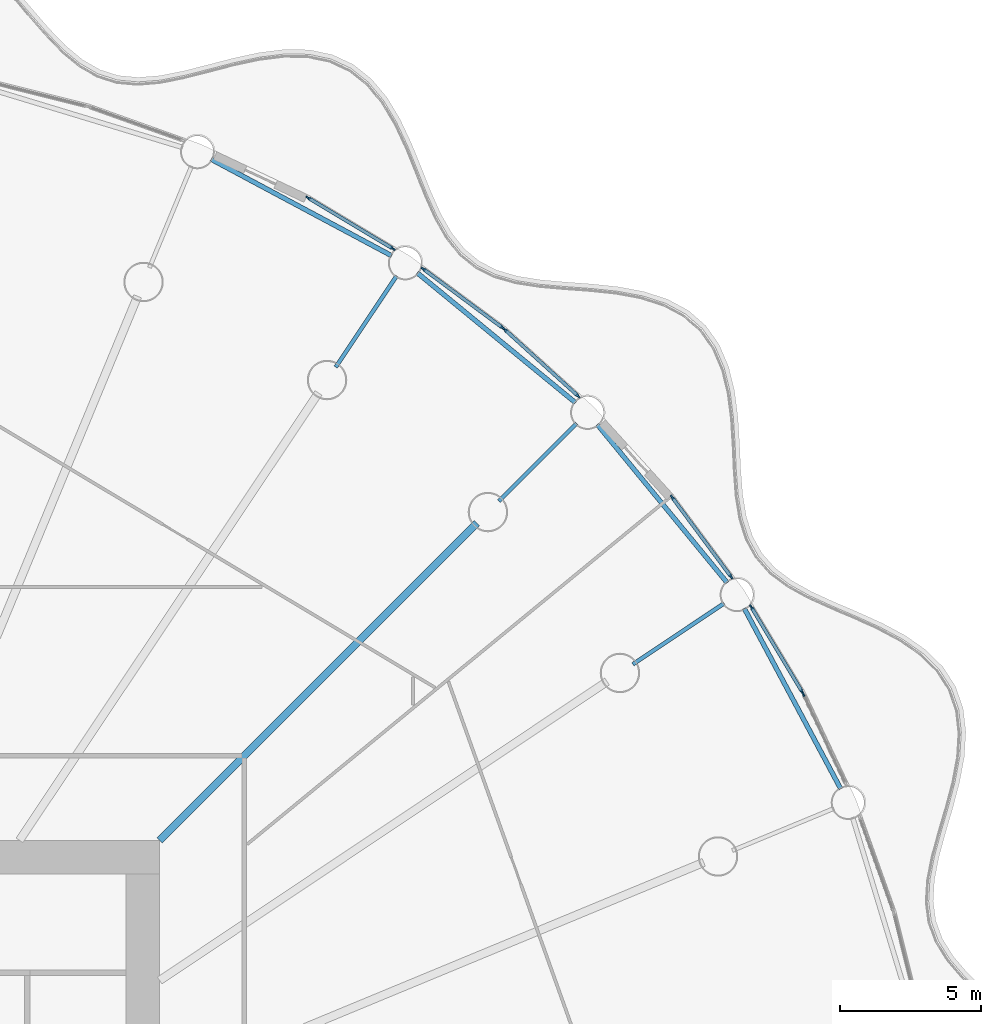
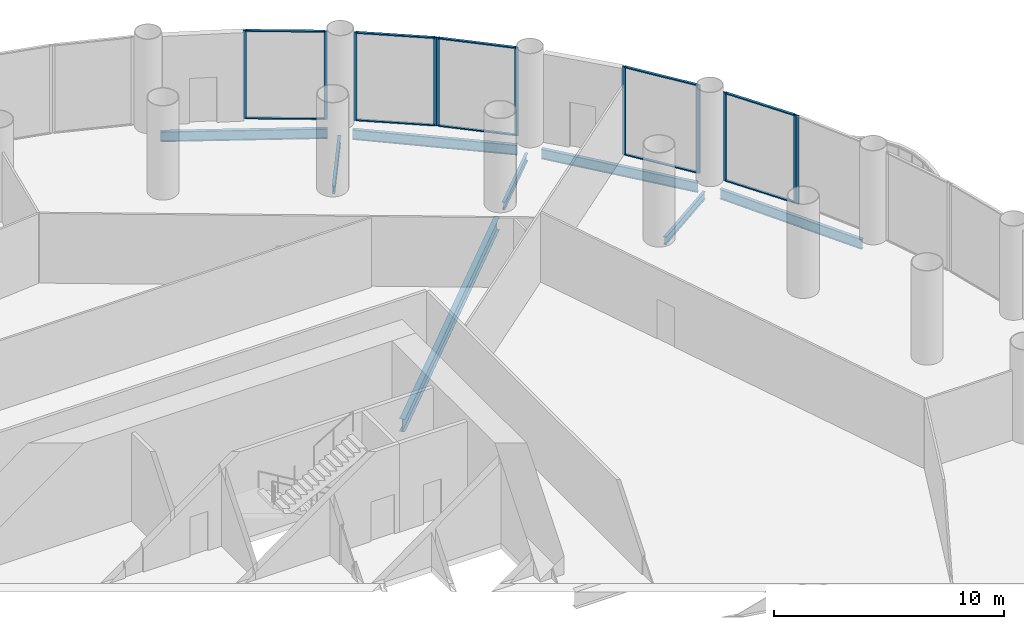
# One storey, part 18 of 35: 21 members, 8 beams, 6 elements without a shape of their own.
"""IFC4 building model written with IfcOpenShell, lengths in metres."""

from ifc_helpers import new_model, si_unit, direction, frame, origin, origin_2d, place, context, subcontext, project, spatial, rectangle, i_section, extrude, material, material_profile, profile_set, type_object, element, aggregate, save


model = new_model("IFC4")

# Units and contexts
model_context = context("Model", 3, precision=1e-05, world=origin(), true_north=direction((0.0, 1.0)))
body_context = subcontext(model_context, "Body", "Model", "MODEL_VIEW")
ifc_project = project(units=[si_unit("LENGTHUNIT", "METRE"), si_unit("AREAUNIT", "SQUARE_METRE"), si_unit("VOLUMEUNIT", "CUBIC_METRE"), si_unit("PLANEANGLEUNIT", "RADIAN"), si_unit("MASSUNIT", "GRAM", prefix="KILO")], contexts=[model_context])

# Site, building, storey
site_placement = place(None, origin())
site = spatial("IfcSite", under=ifc_project, at=site_placement, CompositionType="ELEMENT")
building_placement = place(site_placement, origin())
building = spatial("IfcBuilding", under=site, at=building_placement, Name="Corvane Civic Tower", CompositionType="ELEMENT")
storey_placement = place(building_placement, frame((0.0, 0.0, 27.0)))
storey = spatial("IfcBuildingStorey", under=building, at=storey_placement, Name="L05", CompositionType="ELEMENT", Elevation=27.0)

# Beams
ifc_material_1 = material(Name="Steel ASTM A992 Gr 50", Category="steel")
ifc_material_profile_1 = material_profile(ifc_material_1, i_section(OverallWidth=0.165771484375, OverallDepth=0.5283203125, WebThickness=0.009765625, FlangeThickness=0.013671875, at=origin_2d()), Name="W21X50")
ifc_profile_set_1 = profile_set([ifc_material_profile_1], Name="Steel ASTM A992 Gr 50")
beam_type_1 = type_object("IfcBeamType", Name="EDGE BEAM W21X50", PredefinedType="BEAM", material=ifc_profile_set_1)
for number, where, z_axis, x_axis, name in (
    (1, (16.82568359375, 39.1904296875, -0.564208984375), (0.881912894916, -0.471412394598, 0.0), (0.471412394598, 0.881912894916, 0.0), "BM-L05-E03"),
    (2, (24.14794921875, 35.15478515625, -0.564208984375), (0.773007924807, -0.634396365205, 0.0), (0.634396365205, 0.773007924807, 0.0), "BM-L05-E04"),
    (3, (30.542236328125, 29.768310546875, -0.564208984375), (0.634396365205, -0.773007924807, 0.0), (0.773007924807, 0.634396365205, 0.0), "BM-L05-E05"),
    (4, (35.762939453125, 23.23779296875, -0.564208984375), (0.471412394598, -0.881912894916, 0.0), (0.881912894916, 0.471412394598, 0.0), "BM-L05-E06"),
):
    element("IfcBeam", number, at=place(storey_placement, frame(where, z_axis=z_axis, x_axis=x_axis)), inside=storey, type_object=beam_type_1, Name=name, PredefinedType="BEAM", context=body_context, shape_type="SweptSolid", body=[
        extrude(i_section(OverallWidth=0.165771484375, OverallDepth=0.5283203125, WebThickness=0.009765625, FlangeThickness=0.013671875, at=origin_2d()), origin(), (0.0, 0.0, 1.0), 7.270751953125),
    ])
ifc_material_2 = material(Name="Steel ASTM A992 Gr 50", Category="steel")
ifc_material_profile_2 = material_profile(ifc_material_2, i_section(OverallWidth=0.140380859375, OverallDepth=0.40380859375, WebThickness=0.007080078125, FlangeThickness=0.01123046875, at=origin_2d()), Name="W16X31")
ifc_profile_set_2 = profile_set([ifc_material_profile_2], Name="Steel ASTM A992 Gr 50")
beam_type_2 = type_object("IfcBeamType", Name="FLOOR GIRDER W16X31", PredefinedType="BEAM", material=ifc_profile_set_2)
for number, where, z_axis, x_axis, name in (
    (5, (21.25048828125, 31.8037109375, -0.501953125), (0.555581110199, 0.831462344301, 0.0), (-0.831462344301, 0.555581110199, 0.0), "BM-L05-G04b"),
    (6, (27.046875, 27.046875, -0.501953125), (0.707106781187, 0.707106781187, 0.0), (-0.707106781187, 0.707106781187, 0.0), "BM-L05-G05b"),
    (7, (31.8037109375, 21.25048828125, -0.501953125), (0.831462344301, 0.555581110199, 0.0), (-0.555581110199, 0.831462344301, 0.0), "BM-L05-G06b"),
):
    element("IfcBeam", number, at=place(storey_placement, frame(where, z_axis=z_axis, x_axis=x_axis)), inside=storey, type_object=beam_type_2, Name=name, PredefinedType="BEAM", context=body_context, shape_type="SweptSolid", body=[
        extrude(i_section(OverallWidth=0.140380859375, OverallDepth=0.40380859375, WebThickness=0.007080078125, FlangeThickness=0.01123046875, at=origin_2d()), origin(), (0.0, 0.0, 1.0), 3.89990234375),
    ])
ifc_material_3 = material(Name="Steel ASTM A992 Gr 50", Category="steel")
ifc_material_profile_3 = material_profile(ifc_material_3, i_section(OverallWidth=0.25390625, OverallDepth=0.67822265625, WebThickness=0.01171875, FlangeThickness=0.016357421875, at=origin_2d()), Name="W27X84")
ifc_profile_set_3 = profile_set([ifc_material_profile_3], Name="Steel ASTM A992 Gr 50")
beam_type_3 = type_object("IfcBeamType", Name="FLOOR GIRDER W27X84", PredefinedType="BEAM", material=ifc_profile_set_3)
beam_placement = place(storey_placement, frame((15.0, 15.0, -0.63916015625), z_axis=(0.707106781187, 0.707106781187, 0.0), x_axis=(-0.707106781187, 0.707106781187, 0.0)))
element("IfcBeam", 8, at=beam_placement, inside=storey, type_object=beam_type_3, Name="BM-L05-G05", PredefinedType="BEAM", context=body_context, shape_type="SweptSolid", body=[
    extrude(i_section(OverallWidth=0.25390625, OverallDepth=0.67822265625, WebThickness=0.01171875, FlangeThickness=0.016357421875, at=origin_2d()), origin(), (0.0, 0.0, 1.0), 15.936767578125),
])

# Curtain wall, members
ifc_material_4 = material(Name="Aluminium and glass", Category="aluminium")
curtain_wall_type = type_object("IfcCurtainWallType", Name="PODIUM-CW-P-RUN", PredefinedType="NOTDEFINED", material=ifc_material_4)
curtain_wall_1_placement = place(storey_placement, origin())
curtain_wall_1 = element("IfcCurtainWall", 9, at=curtain_wall_1_placement, inside=storey, type_object=curtain_wall_type, Name="PODI run L05-drum-03B", PredefinedType="NOTDEFINED")
ifc_material_5 = material(Name="Anodised aluminium bronze", Category="aluminium")
ifc_material_profile_4 = material_profile(ifc_material_5, rectangle(XDim=0.06005859375, YDim=0.159912109375, at=origin_2d()), Name="AL 60x160")
ifc_profile_set_4 = profile_set([ifc_material_profile_4], Name="Anodised aluminium bronze")
member_type_1 = type_object("IfcMemberType", Name="PODIUM-CWP-MULLION-60x160", PredefinedType="MULLION", material=ifc_profile_set_4)
member_1_placement = place(storey_placement, frame((20.2666015625, 37.819580078125, 0.0), z_axis=(0.0, 0.0, 1.0), x_axis=(0.514117759857, 0.857719609779, 0.0)))
member_1 = element("IfcMember", 10, at=member_1_placement, type_object=member_type_1, Name="CW-P mullion 1", PredefinedType="MULLION", context=body_context, shape_type="SweptSolid", body=[
    extrude(rectangle(XDim=0.06005859375, YDim=0.159912109375, at=origin_2d()), origin(), (0.0, 0.0, 1.0), 4.699951171875),
])
member_2_placement = place(storey_placement, frame((23.28564453125, 36.010009765625, 0.0), z_axis=(0.0, 0.0, 1.0), x_axis=(0.514117759857, 0.857719609779, 0.0)))
member_2 = element("IfcMember", 11, at=member_2_placement, type_object=member_type_1, Name="CW-P mullion 2", PredefinedType="MULLION", context=body_context, shape_type="SweptSolid", body=[
    extrude(rectangle(XDim=0.06005859375, YDim=0.159912109375, at=origin_2d()), origin(), (0.0, 0.0, 1.0), 4.699951171875),
])

curtain_wall_2_placement = place(storey_placement, origin())
curtain_wall_2 = element("IfcCurtainWall", 12, at=curtain_wall_2_placement, inside=storey, type_object=curtain_wall_type, Name="PODI run L05-drum-04A", PredefinedType="NOTDEFINED")
member_3_placement = place(storey_placement, frame((24.35791015625, 35.293701171875, 0.0), z_axis=(0.0, 0.0, 1.0), x_axis=(0.595705104665, 0.803203229747, 0.0)))
member_3 = element("IfcMember", 13, at=member_3_placement, type_object=member_type_1, Name="CW-P mullion 1", PredefinedType="MULLION", context=body_context, shape_type="SweptSolid", body=[
    extrude(rectangle(XDim=0.06005859375, YDim=0.159912109375, at=origin_2d()), origin(), (0.0, 0.0, 1.0), 4.699951171875),
])
member_4_placement = place(storey_placement, frame((27.18505859375, 33.197021484375, 0.0), z_axis=(0.0, 0.0, 1.0), x_axis=(0.595705104665, 0.803203229747, 0.0)))
member_4 = element("IfcMember", 14, at=member_4_placement, type_object=member_type_1, Name="CW-P mullion 2", PredefinedType="MULLION", context=body_context, shape_type="SweptSolid", body=[
    extrude(rectangle(XDim=0.06005859375, YDim=0.159912109375, at=origin_2d()), origin(), (0.0, 0.0, 1.0), 4.699951171875),
])

curtain_wall_3_placement = place(storey_placement, origin())
curtain_wall_3 = element("IfcCurtainWall", 15, at=curtain_wall_3_placement, inside=storey, type_object=curtain_wall_type, Name="PODI run L05-drum-04B", PredefinedType="NOTDEFINED")
member_5_placement = place(storey_placement, frame((27.25537109375, 33.13916015625, 0.0), z_axis=(0.0, 0.0, 1.0), x_axis=(0.671576457952, 0.740935261089, 0.0)))
member_5 = element("IfcMember", 16, at=member_5_placement, type_object=member_type_1, Name="CW-P mullion 1", PredefinedType="MULLION", context=body_context, shape_type="SweptSolid", body=[
    extrude(rectangle(XDim=0.06005859375, YDim=0.159912109375, at=origin_2d()), origin(), (0.0, 0.0, 1.0), 4.699951171875),
])
member_6_placement = place(storey_placement, frame((29.863525390625, 30.775390625, 0.0), z_axis=(0.0, 0.0, 1.0), x_axis=(0.671576457952, 0.740935261089, 0.0)))
member_6 = element("IfcMember", 17, at=member_6_placement, type_object=member_type_1, Name="CW-P mullion 2", PredefinedType="MULLION", context=body_context, shape_type="SweptSolid", body=[
    extrude(rectangle(XDim=0.06005859375, YDim=0.159912109375, at=origin_2d()), origin(), (0.0, 0.0, 1.0), 4.699951171875),
])

curtain_wall_4_placement = place(storey_placement, origin())
curtain_wall_4 = element("IfcCurtainWall", 18, at=curtain_wall_4_placement, inside=storey, type_object=curtain_wall_type, Name="PODI run L05-drum-05B", PredefinedType="NOTDEFINED")
member_7_placement = place(storey_placement, frame((33.197021484375, 27.18505859375, 0.0), z_axis=(0.0, 0.0, 1.0), x_axis=(0.803203229747, 0.595705104665, 0.0)))
member_7 = element("IfcMember", 19, at=member_7_placement, type_object=member_type_1, Name="CW-P mullion 1", PredefinedType="MULLION", context=body_context, shape_type="SweptSolid", body=[
    extrude(rectangle(XDim=0.06005859375, YDim=0.159912109375, at=origin_2d()), origin(), (0.0, 0.0, 1.0), 4.699951171875),
])
member_8_placement = place(storey_placement, frame((35.293701171875, 24.35791015625, 0.0), z_axis=(0.0, 0.0, 1.0), x_axis=(0.803203229747, 0.595705104665, 0.0)))
member_8 = element("IfcMember", 20, at=member_8_placement, type_object=member_type_1, Name="CW-P mullion 2", PredefinedType="MULLION", context=body_context, shape_type="SweptSolid", body=[
    extrude(rectangle(XDim=0.06005859375, YDim=0.159912109375, at=origin_2d()), origin(), (0.0, 0.0, 1.0), 4.699951171875),
])

curtain_wall_5_placement = place(storey_placement, origin())
curtain_wall_5 = element("IfcCurtainWall", 21, at=curtain_wall_5_placement, inside=storey, type_object=curtain_wall_type, Name="PODI run L05-drum-06A", PredefinedType="NOTDEFINED")
member_9_placement = place(storey_placement, frame((36.010009765625, 23.28564453125, 0.0), z_axis=(0.0, 0.0, 1.0), x_axis=(0.857719609779, 0.514117759857, 0.0)))
member_9 = element("IfcMember", 22, at=member_9_placement, type_object=member_type_1, Name="CW-P mullion 1", PredefinedType="MULLION", context=body_context, shape_type="SweptSolid", body=[
    extrude(rectangle(XDim=0.06005859375, YDim=0.159912109375, at=origin_2d()), origin(), (0.0, 0.0, 1.0), 4.699951171875),
])
member_10_placement = place(storey_placement, frame((37.819580078125, 20.2666015625, 0.0), z_axis=(0.0, 0.0, 1.0), x_axis=(0.857719609779, 0.514117759857, 0.0)))
member_10 = element("IfcMember", 23, at=member_10_placement, type_object=member_type_1, Name="CW-P mullion 2", PredefinedType="MULLION", context=body_context, shape_type="SweptSolid", body=[
    extrude(rectangle(XDim=0.06005859375, YDim=0.159912109375, at=origin_2d()), origin(), (0.0, 0.0, 1.0), 4.699951171875),
])

# Curtain wall, member
curtain_wall_6_placement = place(storey_placement, origin())
curtain_wall_6 = element("IfcCurtainWall", 24, at=curtain_wall_6_placement, inside=storey, type_object=curtain_wall_type, Name="PODI run L05-drum-06B", PredefinedType="NOTDEFINED")
member_11_placement = place(storey_placement, frame((37.862548828125, 20.186279296875, 0.0), z_axis=(0.0, 0.0, 1.0), x_axis=(0.903990222454, 0.42755312852, 0.0)))
member_11 = element("IfcMember", 25, at=member_11_placement, type_object=member_type_1, Name="CW-P mullion 1", PredefinedType="MULLION", context=body_context, shape_type="SweptSolid", body=[
    extrude(rectangle(XDim=0.06005859375, YDim=0.159912109375, at=origin_2d()), origin(), (0.0, 0.0, 1.0), 4.699951171875),
])
aggregate(curtain_wall_6, [member_11])

# Member
ifc_material_6 = material(Name="Anodised aluminium bronze", Category="aluminium")
ifc_material_profile_5 = material_profile(ifc_material_6, rectangle(XDim=0.1201171875, YDim=0.06005859375, at=origin_2d()), Name="AL 120x60")
ifc_profile_set_5 = profile_set([ifc_material_profile_5], Name="Anodised aluminium bronze")
member_type_2 = type_object("IfcMemberType", Name="PODIUM-CWP-TRANSOM-60x120", PredefinedType="USERDEFINED", material=ifc_profile_set_5)
member_12_placement = place(storey_placement, frame((20.29248046875, 37.80419921875, 0.030029296875), z_axis=(0.857723234181, -0.514111713099, 0.0), x_axis=(0.514111713099, 0.857723234181, 0.0)))
member_12 = element("IfcMember", 26, at=member_12_placement, type_object=member_type_2, Name="CW-P transom 1.1", ObjectType="TRANSOM", PredefinedType="USERDEFINED", context=body_context, shape_type="SweptSolid", body=[
    extrude(rectangle(XDim=0.1201171875, YDim=0.06005859375, at=origin_2d()), origin(), (0.0, 0.0, 1.0), 3.45947265625),
])

member_13_placement = place(storey_placement, frame((20.29248046875, 37.80419921875, 4.669921875), z_axis=(0.857723234181, -0.514111713099, 0.0), x_axis=(0.514111713099, 0.857723234181, 0.0)))
member_13 = element("IfcMember", 27, at=member_13_placement, type_object=member_type_2, Name="CW-P transom 1.2", ObjectType="TRANSOM", PredefinedType="USERDEFINED", context=body_context, shape_type="SweptSolid", body=[
    extrude(rectangle(XDim=0.1201171875, YDim=0.06005859375, at=origin_2d()), origin(), (0.0, 0.0, 1.0), 3.45947265625),
])

aggregate(curtain_wall_1, [member_1, member_2, member_12, member_13])

member_14_placement = place(storey_placement, frame((24.382080078125, 35.27587890625, 0.030029296875), z_axis=(0.803189518598, -0.595723591285, 0.0), x_axis=(0.595723591285, 0.803189518598, 0.0)))
member_14 = element("IfcMember", 28, at=member_14_placement, type_object=member_type_2, Name="CW-P transom 1.1", ObjectType="TRANSOM", PredefinedType="USERDEFINED", context=body_context, shape_type="SweptSolid", body=[
    extrude(rectangle(XDim=0.1201171875, YDim=0.06005859375, at=origin_2d()), origin(), (0.0, 0.0, 1.0), 3.459716796875),
])

member_15_placement = place(storey_placement, frame((24.382080078125, 35.27587890625, 4.669921875), z_axis=(0.803189518598, -0.595723591285, 0.0), x_axis=(0.595723591285, 0.803189518598, 0.0)))
member_15 = element("IfcMember", 29, at=member_15_placement, type_object=member_type_2, Name="CW-P transom 1.2", ObjectType="TRANSOM", PredefinedType="USERDEFINED", context=body_context, shape_type="SweptSolid", body=[
    extrude(rectangle(XDim=0.1201171875, YDim=0.06005859375, at=origin_2d()), origin(), (0.0, 0.0, 1.0), 3.459716796875),
])

aggregate(curtain_wall_2, [member_3, member_4, member_14, member_15])

member_16_placement = place(storey_placement, frame((27.277587890625, 33.119140625, 0.030029296875), z_axis=(0.740935382865, -0.671576323599, 0.0), x_axis=(0.671576323599, 0.740935382865, 0.0)))
member_16 = element("IfcMember", 30, at=member_16_placement, type_object=member_type_2, Name="CW-P transom 1.1", ObjectType="TRANSOM", PredefinedType="USERDEFINED", context=body_context, shape_type="SweptSolid", body=[
    extrude(rectangle(XDim=0.1201171875, YDim=0.06005859375, at=origin_2d()), origin(), (0.0, 0.0, 1.0), 3.460205078125),
])

member_17_placement = place(storey_placement, frame((27.277587890625, 33.119140625, 4.669921875), z_axis=(0.740935382865, -0.671576323599, 0.0), x_axis=(0.671576323599, 0.740935382865, 0.0)))
member_17 = element("IfcMember", 31, at=member_17_placement, type_object=member_type_2, Name="CW-P transom 1.2", ObjectType="TRANSOM", PredefinedType="USERDEFINED", context=body_context, shape_type="SweptSolid", body=[
    extrude(rectangle(XDim=0.1201171875, YDim=0.06005859375, at=origin_2d()), origin(), (0.0, 0.0, 1.0), 3.460205078125),
])

aggregate(curtain_wall_3, [member_5, member_6, member_16, member_17])

member_18_placement = place(storey_placement, frame((33.21484375, 27.160888671875, 0.030029296875), z_axis=(0.595723591285, -0.803189518598, 0.0), x_axis=(0.803189518598, 0.595723591285, 0.0)))
member_18 = element("IfcMember", 32, at=member_18_placement, type_object=member_type_2, Name="CW-P transom 1.1", ObjectType="TRANSOM", PredefinedType="USERDEFINED", context=body_context, shape_type="SweptSolid", body=[
    extrude(rectangle(XDim=0.1201171875, YDim=0.06005859375, at=origin_2d()), origin(), (0.0, 0.0, 1.0), 3.459716796875),
])

member_19_placement = place(storey_placement, frame((33.21484375, 27.160888671875, 4.669921875), z_axis=(0.595723591285, -0.803189518598, 0.0), x_axis=(0.803189518598, 0.595723591285, 0.0)))
member_19 = element("IfcMember", 33, at=member_19_placement, type_object=member_type_2, Name="CW-P transom 1.2", ObjectType="TRANSOM", PredefinedType="USERDEFINED", context=body_context, shape_type="SweptSolid", body=[
    extrude(rectangle(XDim=0.1201171875, YDim=0.06005859375, at=origin_2d()), origin(), (0.0, 0.0, 1.0), 3.459716796875),
])

aggregate(curtain_wall_4, [member_7, member_8, member_18, member_19])

member_20_placement = place(storey_placement, frame((36.025634765625, 23.259765625, 0.030029296875), z_axis=(0.514111713099, -0.857723234181, 0.0), x_axis=(0.857723234181, 0.514111713099, 0.0)))
member_20 = element("IfcMember", 34, at=member_20_placement, type_object=member_type_2, Name="CW-P transom 1.1", ObjectType="TRANSOM", PredefinedType="USERDEFINED", context=body_context, shape_type="SweptSolid", body=[
    extrude(rectangle(XDim=0.1201171875, YDim=0.06005859375, at=origin_2d()), origin(), (0.0, 0.0, 1.0), 3.45947265625),
])

member_21_placement = place(storey_placement, frame((36.025634765625, 23.259765625, 4.669921875), z_axis=(0.514111713099, -0.857723234181, 0.0), x_axis=(0.857723234181, 0.514111713099, 0.0)))
member_21 = element("IfcMember", 35, at=member_21_placement, type_object=member_type_2, Name="CW-P transom 1.2", ObjectType="TRANSOM", PredefinedType="USERDEFINED", context=body_context, shape_type="SweptSolid", body=[
    extrude(rectangle(XDim=0.1201171875, YDim=0.06005859375, at=origin_2d()), origin(), (0.0, 0.0, 1.0), 3.45947265625),
])

aggregate(curtain_wall_5, [member_9, member_10, member_20, member_21])

save(model, "model.ifc")
